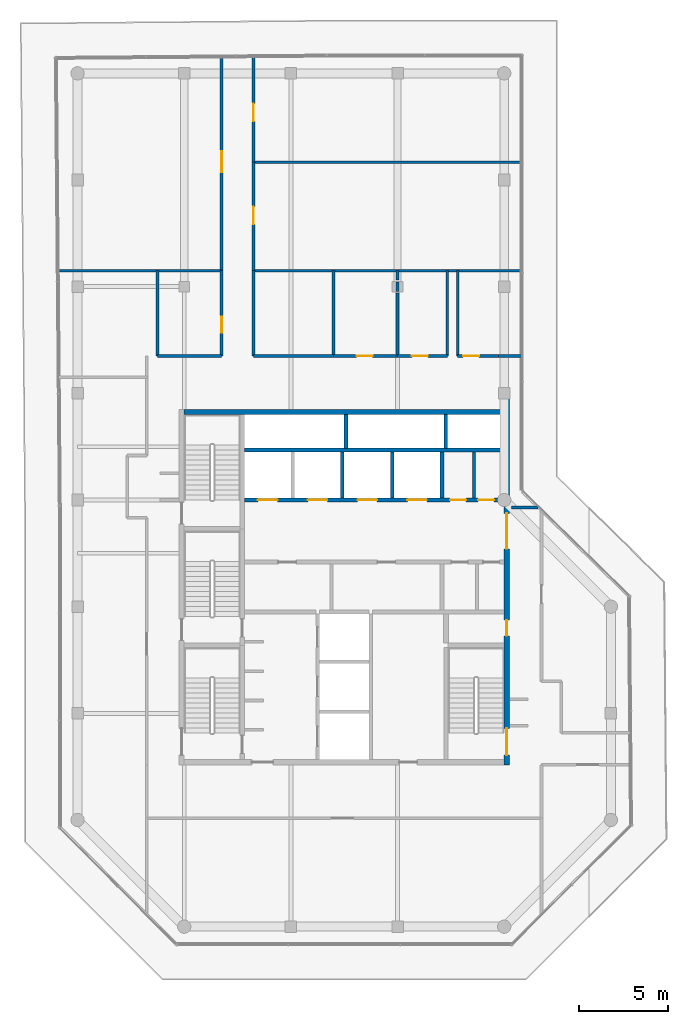
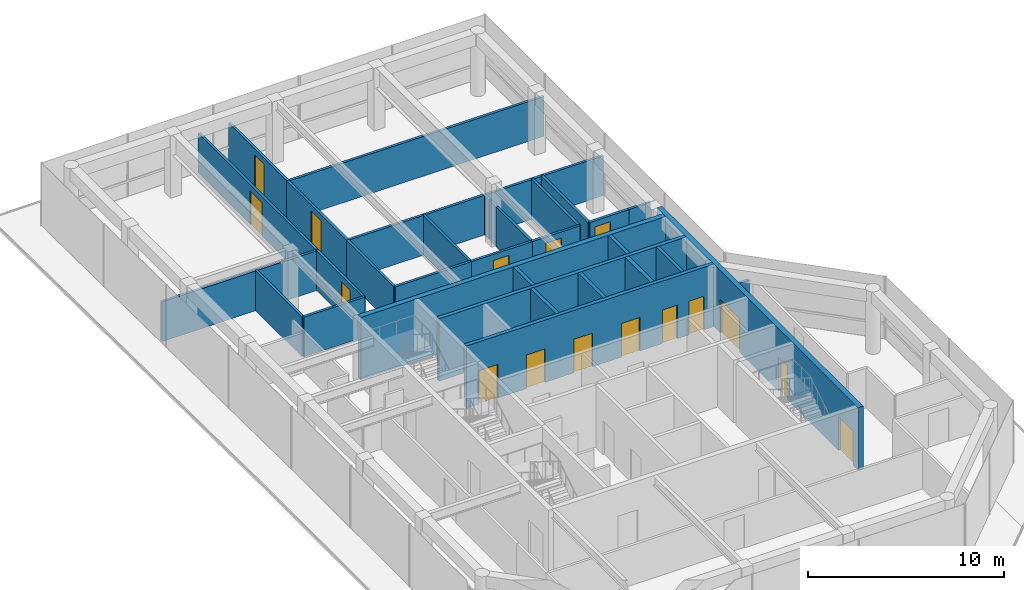
# One storey, part 18 of 21: 32 walls, 16 doors, 16 openings.
"""IFC4 building model written with IfcOpenShell, lengths in metres."""

from ifc_helpers import new_model, si_unit, direction, frame, frame_2d, origin, place, context, subcontext, project, spatial, rectangle, extrude, material, layer, layer_set, type_object, element, fill, save


model = new_model("IFC4")

# Units and contexts
model_context = context("Model", 3, precision=1e-05, world=origin(), true_north=direction((0.0, 1.0)))
body_context = subcontext(model_context, "Body", "Model", "MODEL_VIEW")
ifc_project = project(units=[si_unit("LENGTHUNIT", "METRE"), si_unit("AREAUNIT", "SQUARE_METRE"), si_unit("VOLUMEUNIT", "CUBIC_METRE"), si_unit("PLANEANGLEUNIT", "RADIAN"), si_unit("MASSUNIT", "GRAM", prefix="KILO")], contexts=[model_context])

# Site, building, storey
site_placement = place(None, origin())
site = spatial("IfcSite", under=ifc_project, at=site_placement, CompositionType="ELEMENT")
building_placement = place(site_placement, origin())
building = spatial("IfcBuilding", under=site, at=building_placement, Name="Welwitschia Terrace Campus", CompositionType="ELEMENT")
storey_placement = place(building_placement, frame((0.0, 0.0, 331.39990234375)))
storey = spatial("IfcBuildingStorey", under=building, at=storey_placement, Name="L74", CompositionType="ELEMENT", Elevation=331.39990234375)

# Wall
ifc_material_1 = material(Name="Concrete C32/40", Category="concrete")
ifc_layer_1 = layer(ifc_material_1, 0.175048828125)
ifc_layer_set_1 = layer_set([ifc_layer_1], Name="Concrete C32/40")
wall_type_1 = type_object("IfcWallType", Name="Core partition 175 Concrete C32/40", PredefinedType="PARTITIONING", material=ifc_layer_set_1)
wall_1_placement = place(storey_placement, frame((22.300048828125, 20.10009765625, 0.0), z_axis=(0.0, 0.0, 1.0), x_axis=(0.0, 1.0, 0.0)))
element("IfcWall", 1, at=wall_1_placement, inside=storey, type_object=wall_type_1, Name="Core partition", PredefinedType="PARTITIONING", context=body_context, shape_type="SweptSolid", body=[
    extrude(rectangle(XDim=2.599853515625, YDim=0.175048828125, at=frame_2d((1.2998046875, 0.0))), origin(), (0.0, 0.0, 1.0), 3.900146484375),
])

# Wall, openings, doors
ifc_material_2 = material(Name="Concrete C32/40", Category="concrete")
ifc_layer_2 = layer(ifc_material_2, 0.22509765625)
ifc_layer_set_2 = layer_set([ifc_layer_2], Name="Concrete C32/40")
wall_type_2 = type_object("IfcWallType", Name="Core partition 225 Concrete C32/40", PredefinedType="PARTITIONING", material=ifc_layer_set_2)
wall_2_placement = place(storey_placement, frame((24.0, 20.0, 0.0), z_axis=(0.0, 0.0, 1.0), x_axis=(-1.0, 0.0, 0.0)))
wall_2 = element("IfcWall", 2, at=wall_2_placement, inside=storey, type_object=wall_type_2, Name="Shaft wall", PredefinedType="PARTITIONING", context=body_context, shape_type="SweptSolid", body=[
    extrude(rectangle(XDim=14.60009765625, YDim=0.22509765625, at=frame_2d((7.300048828125, 0.0))), origin(), (0.0, 0.0, 1.0), 3.900146484375),
])
opening_1_placement = place(wall_2_placement, frame((12.75, 0.0, 0.0)))
opening_1 = element("IfcOpeningElement", 3, at=opening_1_placement, cuts=wall_2, Name="Opening LD", PredefinedType="OPENING", context=body_context, shape_type="SweptSolid", body=[
    extrude(rectangle(XDim=1.10009765625, YDim=2.10009765625, at=frame_2d((0.550048828125, 1.050048828125))), frame((0.0, 0.12255859375, 0.0), z_axis=(0.0, -1.0, 0.0), x_axis=(1.0, 0.0, 0.0)), (0.0, 0.0, 1.0), 0.2451171875),
])
opening_2_placement = place(wall_2_placement, frame((9.949951171875, 0.0, 0.0)))
opening_2 = element("IfcOpeningElement", 4, at=opening_2_placement, cuts=wall_2, Name="Opening LD", PredefinedType="OPENING", context=body_context, shape_type="SweptSolid", body=[
    extrude(rectangle(XDim=1.10009765625, YDim=2.10009765625, at=frame_2d((0.550048828125, 1.050048828125))), frame((0.0, 0.12255859375, 0.0), z_axis=(0.0, -1.0, 0.0), x_axis=(1.0, 0.0, 0.0)), (0.0, 0.0, 1.0), 0.2451171875),
])
opening_3_placement = place(wall_2_placement, frame((7.14990234375, 0.0, 0.0)))
opening_3 = element("IfcOpeningElement", 5, at=opening_3_placement, cuts=wall_2, Name="Opening LD", PredefinedType="OPENING", context=body_context, shape_type="SweptSolid", body=[
    extrude(rectangle(XDim=1.10009765625, YDim=2.10009765625, at=frame_2d((0.550048828125, 1.050048828125))), frame((0.0, 0.12255859375, 0.0), z_axis=(0.0, -1.0, 0.0), x_axis=(1.0, 0.0, 0.0)), (0.0, 0.0, 1.0), 0.2451171875),
])
opening_4_placement = place(wall_2_placement, frame((4.35009765625, 0.0, 0.0)))
opening_4 = element("IfcOpeningElement", 6, at=opening_4_placement, cuts=wall_2, Name="Opening LD", PredefinedType="OPENING", context=body_context, shape_type="SweptSolid", body=[
    extrude(rectangle(XDim=1.10009765625, YDim=2.10009765625, at=frame_2d((0.550048828125, 1.050048828125))), frame((0.0, 0.12255859375, 0.0), z_axis=(0.0, -1.0, 0.0), x_axis=(1.0, 0.0, 0.0)), (0.0, 0.0, 1.0), 0.2451171875),
])
opening_5_placement = place(wall_2_placement, frame((2.137451171875, 0.0, 0.0)))
opening_5 = element("IfcOpeningElement", 7, at=opening_5_placement, cuts=wall_2, Name="Opening DR09", PredefinedType="OPENING", context=body_context, shape_type="SweptSolid", body=[
    extrude(rectangle(XDim=0.89990234375, YDim=2.10009765625, at=frame_2d((0.449951171875, 1.050048828125))), frame((0.0, 0.12255859375, 0.0), z_axis=(0.0, -1.0, 0.0), x_axis=(1.0, 0.0, 0.0)), (0.0, 0.0, 1.0), 0.2451171875),
])
opening_6_placement = place(wall_2_placement, frame((0.56201171875, 0.0, 0.0)))
opening_6 = element("IfcOpeningElement", 8, at=opening_6_placement, cuts=wall_2, Name="Opening DR09", PredefinedType="OPENING", context=body_context, shape_type="SweptSolid", body=[
    extrude(rectangle(XDim=0.89990234375, YDim=2.10009765625, at=frame_2d((0.449951171875, 1.050048828125))), frame((0.0, 0.12255859375, 0.0), z_axis=(0.0, -1.0, 0.0), x_axis=(1.0, 0.0, 0.0)), (0.0, 0.0, 1.0), 0.2451171875),
])
ifc_material_3 = material(Name="Steel S275", Category="steel")
door_type_1 = type_object("IfcDoorType", Name="Core door DR09", OperationType="SINGLE_SWING_LEFT", PredefinedType="DOOR", material=ifc_material_3)
door_1_placement = place(opening_5_placement, origin())
door_1 = element("IfcDoor", 9, at=door_1_placement, inside=storey, type_object=door_type_1, Name="Door EH1-D", OperationType="SINGLE_SWING_LEFT", OverallHeight=2.10009765625, OverallWidth=0.89990234375, PredefinedType="DOOR", context=body_context, shape_type="SweptSolid", body=[
    extrude(rectangle(XDim=0.89990234375, YDim=2.10009765625, at=frame_2d((0.449951171875, 1.050048828125))), frame((0.0, 0.02490234375, 0.0), z_axis=(0.0, -1.0, 0.0), x_axis=(1.0, 0.0, 0.0)), (0.0, 0.0, 1.0), 0.050048828125),
])
fill(opening_5, door_1)
door_2_placement = place(opening_6_placement, origin())
door_2 = element("IfcDoor", 10, at=door_2_placement, inside=storey, type_object=door_type_1, Name="Door EH2-D", OperationType="SINGLE_SWING_LEFT", OverallHeight=2.10009765625, OverallWidth=0.89990234375, PredefinedType="DOOR", context=body_context, shape_type="SweptSolid", body=[
    extrude(rectangle(XDim=0.89990234375, YDim=2.10009765625, at=frame_2d((0.449951171875, 1.050048828125))), frame((0.0, 0.02490234375, 0.0), z_axis=(0.0, -1.0, 0.0), x_axis=(1.0, 0.0, 0.0)), (0.0, 0.0, 1.0), 0.050048828125),
])
fill(opening_6, door_2)
ifc_material_4 = material(Name="Stainless steel 304", Category="steel")
door_type_2 = type_object("IfcDoorType", Name="Lift landing door", OperationType="DOUBLE_DOOR_SLIDING", PredefinedType="DOOR", material=ifc_material_4)
door_3_placement = place(opening_1_placement, origin())
door_3 = element("IfcDoor", 11, at=door_3_placement, inside=storey, type_object=door_type_2, Name="Landing door HR1", OperationType="DOUBLE_DOOR_SLIDING", OverallHeight=2.10009765625, OverallWidth=1.10009765625, PredefinedType="DOOR", context=body_context, shape_type="SweptSolid", body=[
    extrude(rectangle(XDim=1.10009765625, YDim=2.10009765625, at=frame_2d((0.550048828125, 1.050048828125))), frame((0.0, 0.02490234375, 0.0), z_axis=(0.0, -1.0, 0.0), x_axis=(1.0, 0.0, 0.0)), (0.0, 0.0, 1.0), 0.050048828125),
])
fill(opening_1, door_3)
door_4_placement = place(opening_2_placement, origin())
door_4 = element("IfcDoor", 12, at=door_4_placement, inside=storey, type_object=door_type_2, Name="Landing door HR2", OperationType="DOUBLE_DOOR_SLIDING", OverallHeight=2.10009765625, OverallWidth=1.10009765625, PredefinedType="DOOR", context=body_context, shape_type="SweptSolid", body=[
    extrude(rectangle(XDim=1.10009765625, YDim=2.10009765625, at=frame_2d((0.550048828125, 1.050048828125))), frame((0.0, 0.02490234375, 0.0), z_axis=(0.0, -1.0, 0.0), x_axis=(1.0, 0.0, 0.0)), (0.0, 0.0, 1.0), 0.050048828125),
])
fill(opening_2, door_4)
door_5_placement = place(opening_3_placement, origin())
door_5 = element("IfcDoor", 13, at=door_5_placement, inside=storey, type_object=door_type_2, Name="Landing door HR3", OperationType="DOUBLE_DOOR_SLIDING", OverallHeight=2.10009765625, OverallWidth=1.10009765625, PredefinedType="DOOR", context=body_context, shape_type="SweptSolid", body=[
    extrude(rectangle(XDim=1.10009765625, YDim=2.10009765625, at=frame_2d((0.550048828125, 1.050048828125))), frame((0.0, 0.02490234375, 0.0), z_axis=(0.0, -1.0, 0.0), x_axis=(1.0, 0.0, 0.0)), (0.0, 0.0, 1.0), 0.050048828125),
])
fill(opening_3, door_5)
door_6_placement = place(opening_4_placement, origin())
door_6 = element("IfcDoor", 14, at=door_6_placement, inside=storey, type_object=door_type_2, Name="Landing door HR4", OperationType="DOUBLE_DOOR_SLIDING", OverallHeight=2.10009765625, OverallWidth=1.10009765625, PredefinedType="DOOR", context=body_context, shape_type="SweptSolid", body=[
    extrude(rectangle(XDim=1.10009765625, YDim=2.10009765625, at=frame_2d((0.550048828125, 1.050048828125))), frame((0.0, 0.02490234375, 0.0), z_axis=(0.0, -1.0, 0.0), x_axis=(1.0, 0.0, 0.0)), (0.0, 0.0, 1.0), 0.050048828125),
])
fill(opening_4, door_6)

# Walls
wall_3_placement = place(storey_placement, frame((9.39990234375, 22.800048828125, 0.0), z_axis=(0.0, 0.0, 1.0), x_axis=(1.0, 0.0, 0.0)))
element("IfcWall", 15, at=wall_3_placement, inside=storey, type_object=wall_type_2, Name="Shaft wall", PredefinedType="PARTITIONING", context=body_context, shape_type="SweptSolid", body=[
    extrude(rectangle(XDim=14.60009765625, YDim=0.22509765625, at=frame_2d((7.300048828125, 0.0))), origin(), (0.0, 0.0, 1.0), 3.900146484375),
])
wall_4_placement = place(storey_placement, frame((20.5, 20.10009765625, 0.0), z_axis=(0.0, 0.0, 1.0), x_axis=(0.0, 1.0, 0.0)))
element("IfcWall", 16, at=wall_4_placement, inside=storey, type_object=wall_type_2, Name="Shaft wall", PredefinedType="PARTITIONING", context=body_context, shape_type="SweptSolid", body=[
    extrude(rectangle(XDim=2.599853515625, YDim=0.22509765625, at=frame_2d((1.2998046875, 0.0))), origin(), (0.0, 0.0, 1.0), 3.900146484375),
])
ifc_material_5 = material(Name="Concrete C50/60", Category="concrete")
ifc_layer_3 = layer(ifc_material_5, 0.199951171875)
ifc_layer_set_3 = layer_set([ifc_layer_3], Name="Concrete C50/60")
wall_type_3 = type_object("IfcWallType", Name="Core wall 200 Concrete C50/60", PredefinedType="SHEAR", material=ifc_layer_set_3)
for number, where, z_axis, x_axis, name in (
    (17, (15.10009765625, 22.89990234375, 0.0), (0.0, 0.0, 1.0), (0.0, 1.0, 0.0), "Core wall"),
    (18, (20.699951171875, 22.89990234375, 0.0), (0.0, 0.0, 1.0), (0.0, 1.0, 0.0), "Core wall"),
):
    element("IfcWall", number, at=place(storey_placement, frame(where, z_axis=z_axis, x_axis=x_axis)), inside=storey, type_object=wall_type_3, Name=name, PredefinedType="SHEAR", context=body_context, shape_type="SweptSolid", body=[
        extrude(rectangle(XDim=1.900146484375, YDim=0.199951171875, at=frame_2d((0.9501953125, 0.0))), origin(), (0.0, 0.0, 1.0), 3.900146484375),
    ])

# Wall, openings, doors
ifc_material_6 = material(Name="Concrete C50/60", Category="concrete")
ifc_layer_4 = layer(ifc_material_6, 0.300048828125)
ifc_layer_set_4 = layer_set([ifc_layer_4], Name="Concrete C50/60")
wall_type_4 = type_object("IfcWallType", Name="Core wall 300 Concrete C50/60", PredefinedType="SHEAR", material=ifc_layer_set_4)
wall_5_placement = place(storey_placement, frame((24.14990234375, 25.705078125, 0.0), z_axis=(0.0, 0.0, 1.0), x_axis=(0.0, -1.0, 0.0)))
wall_5 = element("IfcWall", 19, at=wall_5_placement, inside=storey, type_object=wall_type_4, Name="Core outer wall", PredefinedType="SHEAR", context=body_context, shape_type="SweptSolid", body=[
    extrude(rectangle(XDim=20.60498046875, YDim=0.300048828125, at=frame_2d((10.302490234375, 0.0))), origin(), (0.0, 0.0, 1.0), 3.900146484375),
])
opening_7_placement = place(wall_5_placement, frame((18.554931640625, 0.0, 0.0)))
opening_7 = element("IfcOpeningElement", 20, at=opening_7_placement, cuts=wall_5, Name="Opening DS15", PredefinedType="OPENING", context=body_context, shape_type="SweptSolid", body=[
    extrude(rectangle(XDim=1.5, YDim=2.10009765625, at=frame_2d((0.75, 1.050048828125))), frame((0.0, 0.159912109375, 0.0), z_axis=(0.0, -1.0, 0.0), x_axis=(1.0, 0.0, 0.0)), (0.0, 0.0, 1.0), 0.320068359375),
])
opening_8_placement = place(wall_5_placement, frame((12.455078125, 0.0, 0.0)))
opening_8 = element("IfcOpeningElement", 21, at=opening_8_placement, cuts=wall_5, Name="Opening DR09", PredefinedType="OPENING", context=body_context, shape_type="SweptSolid", body=[
    extrude(rectangle(XDim=0.89990234375, YDim=2.10009765625, at=frame_2d((0.449951171875, 1.050048828125))), frame((0.0, 0.159912109375, 0.0), z_axis=(0.0, -1.0, 0.0), x_axis=(1.0, 0.0, 0.0)), (0.0, 0.0, 1.0), 0.320068359375),
])
opening_9_placement = place(wall_5_placement, frame((6.455078125, 0.0, 0.0)))
opening_9 = element("IfcOpeningElement", 22, at=opening_9_placement, cuts=wall_5, Name="Opening DL20", PredefinedType="OPENING", context=body_context, shape_type="SweptSolid", body=[
    extrude(rectangle(XDim=2.0, YDim=2.10009765625, at=frame_2d((1.0, 1.050048828125))), frame((0.0, 0.159912109375, 0.0), z_axis=(0.0, -1.0, 0.0), x_axis=(1.0, 0.0, 0.0)), (0.0, 0.0, 1.0), 0.320068359375),
])
ifc_material_7 = material(Name="Steel S275", Category="steel")
door_type_3 = type_object("IfcDoorType", Name="Core door DL20", OperationType="DOUBLE_DOOR_SINGLE_SWING", PredefinedType="DOOR", material=ifc_material_7)
door_7_placement = place(opening_9_placement, origin())
door_7 = element("IfcDoor", 23, at=door_7_placement, inside=storey, type_object=door_type_3, Name="Door LOBBY-out", OperationType="DOUBLE_DOOR_SINGLE_SWING", OverallHeight=2.10009765625, OverallWidth=2.0, PredefinedType="DOOR", context=body_context, shape_type="SweptSolid", body=[
    extrude(rectangle(XDim=2.0, YDim=2.10009765625, at=frame_2d((1.0, 1.050048828125))), frame((0.0, 0.02490234375, 0.0), z_axis=(0.0, -1.0, 0.0), x_axis=(1.0, 0.0, 0.0)), (0.0, 0.0, 1.0), 0.050048828125),
])
fill(opening_9, door_7)
door_8_placement = place(opening_8_placement, origin())
door_8 = element("IfcDoor", 24, at=door_8_placement, inside=storey, type_object=door_type_1, Name="Door F1B-out", OperationType="SINGLE_SWING_RIGHT", OverallHeight=2.10009765625, OverallWidth=0.89990234375, PredefinedType="DOOR", context=body_context, shape_type="SweptSolid", body=[
    extrude(rectangle(XDim=0.89990234375, YDim=2.10009765625, at=frame_2d((0.449951171875, 1.050048828125))), frame((0.0, 0.02490234375, 0.0), z_axis=(0.0, -1.0, 0.0), x_axis=(1.0, 0.0, 0.0)), (0.0, 0.0, 1.0), 0.050048828125),
])
fill(opening_8, door_8)
ifc_material_8 = material(Name="Steel S275", Category="steel")
door_type_4 = type_object("IfcDoorType", Name="Core door DS15", OperationType="DOUBLE_DOOR_SINGLE_SWING", PredefinedType="DOOR", material=ifc_material_8)
door_9_placement = place(opening_7_placement, origin())
door_9 = element("IfcDoor", 25, at=door_9_placement, inside=storey, type_object=door_type_4, Name="Door S2-out", OperationType="DOUBLE_DOOR_SINGLE_SWING", OverallHeight=2.10009765625, OverallWidth=1.5, PredefinedType="DOOR", context=body_context, shape_type="SweptSolid", body=[
    extrude(rectangle(XDim=1.5, YDim=2.10009765625, at=frame_2d((0.75, 1.050048828125))), frame((0.0, 0.02490234375, 0.0), z_axis=(0.0, -1.0, 0.0), x_axis=(1.0, 0.0, 0.0)), (0.0, 0.0, 1.0), 0.050048828125),
])
fill(opening_7, door_9)

# Walls
wall_6_placement = place(storey_placement, frame((6.0, 24.949951171875, 0.0), z_axis=(0.0, 0.0, 1.0), x_axis=(1.0, 0.0, 0.0)))
element("IfcWall", 26, at=wall_6_placement, inside=storey, type_object=wall_type_4, Name="Core outer wall", PredefinedType="SHEAR", context=body_context, shape_type="SweptSolid", body=[
    extrude(rectangle(XDim=18.0, YDim=0.300048828125, at=frame_2d((9.0, 0.0))), origin(), (0.0, 0.0, 1.0), 3.900146484375),
])
ifc_material_9 = material(Name="Gypsum board on steel studs", Category="steel")
ifc_layer_5 = layer(ifc_material_9, 0.14990234375)
ifc_layer_set_5 = layer_set([ifc_layer_5], Name="Gypsum board on steel studs")
wall_type_5 = type_object("IfcWallType", Name="Corridor partition 150 EI 30", PredefinedType="PARTITIONING", material=ifc_layer_set_5)
wall_7_placement = place(storey_placement, frame((-1.10009765625, 32.89990234375, 0.0), z_axis=(0.0, 0.0, 1.0), x_axis=(1.0, 0.0, 0.0)))
element("IfcWall", 27, at=wall_7_placement, inside=storey, type_object=wall_type_5, Name="Partition", PredefinedType="PARTITIONING", context=body_context, shape_type="SweptSolid", body=[
    extrude(rectangle(XDim=9.2001953125, YDim=0.14990234375, at=frame_2d((4.60009765625, 0.0))), origin(), (0.0, 0.0, 1.0), 2.47998046875),
])
wall_8_placement = place(storey_placement, frame((4.5, 28.10009765625, 0.0), z_axis=(0.0, 0.0, 1.0), x_axis=(0.0, 1.0, 0.0)))
element("IfcWall", 28, at=wall_8_placement, inside=storey, type_object=wall_type_5, Name="Partition", PredefinedType="PARTITIONING", context=body_context, shape_type="SweptSolid", body=[
    extrude(rectangle(XDim=4.7998046875, YDim=0.14990234375, at=frame_2d((2.39990234375, 0.0))), origin(), (0.0, 0.0, 1.0), 2.47998046875),
])
wall_9_placement = place(storey_placement, frame((4.5, 28.10009765625, 0.0), z_axis=(0.0, 0.0, 1.0), x_axis=(1.0, 0.0, 0.0)))
element("IfcWall", 29, at=wall_9_placement, inside=storey, type_object=wall_type_5, Name="Partition", PredefinedType="PARTITIONING", context=body_context, shape_type="SweptSolid", body=[
    extrude(rectangle(XDim=3.60009765625, YDim=0.14990234375, at=frame_2d((1.800048828125, 0.0))), origin(), (0.0, 0.0, 1.0), 2.47998046875),
])

# Wall, opening, door
wall_10_placement = place(storey_placement, frame((8.10009765625, 28.10009765625, 0.0), z_axis=(0.0, 0.0, 1.0), x_axis=(0.0, 1.0, 0.0)))
wall_10 = element("IfcWall", 30, at=wall_10_placement, inside=storey, type_object=wall_type_5, Name="Partition", PredefinedType="PARTITIONING", context=body_context, shape_type="SweptSolid", body=[
    extrude(rectangle(XDim=4.7998046875, YDim=0.14990234375, at=frame_2d((2.39990234375, 0.0))), origin(), (0.0, 0.0, 1.0), 2.47998046875),
])
opening_10_placement = place(wall_10_placement, frame((1.300048828125, 0.0, 0.0)))
opening_10 = element("IfcOpeningElement", 31, at=opening_10_placement, cuts=wall_10, Name="Opening DI09", PredefinedType="OPENING", context=body_context, shape_type="SweptSolid", body=[
    extrude(rectangle(XDim=0.89990234375, YDim=2.10009765625, at=frame_2d((0.449951171875, 1.050048828125))), frame((0.0, 0.0849609375, 0.0), z_axis=(0.0, -1.0, 0.0), x_axis=(1.0, 0.0, 0.0)), (0.0, 0.0, 1.0), 0.169921875),
])
ifc_material_10 = material(Name="Timber veneered door", Category="wood")
door_type_5 = type_object("IfcDoorType", Name="Interior door DI09", OperationType="NOTDEFINED", PredefinedType="DOOR", material=ifc_material_10)
door_10_placement = place(opening_10_placement, origin())
door_10 = element("IfcDoor", 32, at=door_10_placement, inside=storey, type_object=door_type_5, Name="Door L74 1280", OperationType="SINGLE_SWING_LEFT", OverallHeight=2.10009765625, OverallWidth=0.89990234375, PredefinedType="DOOR", context=body_context, shape_type="SweptSolid", body=[
    extrude(rectangle(XDim=0.89990234375, YDim=2.10009765625, at=frame_2d((0.449951171875, 1.050048828125))), frame((0.0, 0.02490234375, 0.0), z_axis=(0.0, -1.0, 0.0), x_axis=(1.0, 0.0, 0.0)), (0.0, 0.0, 1.0), 0.050048828125),
])
fill(opening_10, door_10)

wall_11_placement = place(storey_placement, frame((8.10009765625, 32.89990234375, 0.0), z_axis=(0.0, 0.0, 1.0), x_axis=(0.0, 1.0, 0.0)))
wall_11 = element("IfcWall", 33, at=wall_11_placement, inside=storey, type_object=wall_type_5, Name="Partition", PredefinedType="PARTITIONING", context=body_context, shape_type="SweptSolid", body=[
    extrude(rectangle(XDim=12.030029296875, YDim=0.14990234375, at=frame_2d((6.01513671875, 0.0))), origin(), (0.0, 0.0, 1.0), 2.47998046875),
])
opening_11_placement = place(wall_11_placement, frame((5.530029296875, 0.0, 0.0)))
opening_11 = element("IfcOpeningElement", 34, at=opening_11_placement, cuts=wall_11, Name="Opening DI12", PredefinedType="OPENING", context=body_context, shape_type="SweptSolid", body=[
    extrude(rectangle(XDim=1.199951171875, YDim=2.10009765625, at=frame_2d((0.60009765625, 1.050048828125))), frame((0.0, 0.0849609375, 0.0), z_axis=(0.0, -1.0, 0.0), x_axis=(1.0, 0.0, 0.0)), (0.0, 0.0, 1.0), 0.169921875),
])
ifc_material_11 = material(Name="Timber veneered door", Category="wood")
door_type_6 = type_object("IfcDoorType", Name="Interior door DI12", OperationType="NOTDEFINED", PredefinedType="DOOR", material=ifc_material_11)
door_11_placement = place(opening_11_placement, origin())
door_11 = element("IfcDoor", 35, at=door_11_placement, inside=storey, type_object=door_type_6, Name="Door L74 1281", OperationType="SINGLE_SWING_RIGHT", OverallHeight=2.10009765625, OverallWidth=1.199951171875, PredefinedType="DOOR", context=body_context, shape_type="SweptSolid", body=[
    extrude(rectangle(XDim=1.199951171875, YDim=2.10009765625, at=frame_2d((0.60009765625, 1.050048828125))), frame((0.0, 0.02490234375, 0.0), z_axis=(0.0, -1.0, 0.0), x_axis=(1.0, 0.0, 0.0)), (0.0, 0.0, 1.0), 0.050048828125),
])
fill(opening_11, door_11)

# Walls
wall_12_placement = place(storey_placement, frame((9.89990234375, 28.10009765625, 0.0), z_axis=(0.0, 0.0, 1.0), x_axis=(0.0, 1.0, 0.0)))
element("IfcWall", 36, at=wall_12_placement, inside=storey, type_object=wall_type_5, Name="Partition", PredefinedType="PARTITIONING", context=body_context, shape_type="SweptSolid", body=[
    extrude(rectangle(XDim=4.7998046875, YDim=0.14990234375, at=frame_2d((2.39990234375, 0.0))), origin(), (0.0, 0.0, 1.0), 2.47998046875),
])
wall_13_placement = place(storey_placement, frame((9.89990234375, 28.10009765625, 0.0), z_axis=(0.0, 0.0, 1.0), x_axis=(1.0, 0.0, 0.0)))
element("IfcWall", 37, at=wall_13_placement, inside=storey, type_object=wall_type_5, Name="Partition", PredefinedType="PARTITIONING", context=body_context, shape_type="SweptSolid", body=[
    extrude(rectangle(XDim=4.5, YDim=0.14990234375, at=frame_2d((2.25, 0.0))), origin(), (0.0, 0.0, 1.0), 2.47998046875),
])
wall_14_placement = place(storey_placement, frame((9.89990234375, 32.89990234375, 0.0), z_axis=(0.0, 0.0, 1.0), x_axis=(1.0, 0.0, 0.0)))
element("IfcWall", 38, at=wall_14_placement, inside=storey, type_object=wall_type_5, Name="Partition", PredefinedType="PARTITIONING", context=body_context, shape_type="SweptSolid", body=[
    extrude(rectangle(XDim=15.0751953125, YDim=0.14990234375, at=frame_2d((7.53759765625, 0.0))), origin(), (0.0, 0.0, 1.0), 2.47998046875),
])

# Wall, opening, door
wall_15_placement = place(storey_placement, frame((9.89990234375, 39.0, 0.0), z_axis=(0.0, 0.0, 1.0), x_axis=(0.0, -1.0, 0.0)))
wall_15 = element("IfcWall", 39, at=wall_15_placement, inside=storey, type_object=wall_type_5, Name="Partition", PredefinedType="PARTITIONING", context=body_context, shape_type="SweptSolid", body=[
    extrude(rectangle(XDim=6.10009765625, YDim=0.14990234375, at=frame_2d((3.050048828125, 0.0))), origin(), (0.0, 0.0, 1.0), 2.47998046875),
])
opening_12_placement = place(wall_15_placement, frame((2.5, 0.0, 0.0)))
opening_12 = element("IfcOpeningElement", 40, at=opening_12_placement, cuts=wall_15, Name="Opening DI10", PredefinedType="OPENING", context=body_context, shape_type="SweptSolid", body=[
    extrude(rectangle(XDim=1.0, YDim=2.10009765625, at=frame_2d((0.5, 1.050048828125))), frame((0.0, 0.0849609375, 0.0), z_axis=(0.0, -1.0, 0.0), x_axis=(1.0, 0.0, 0.0)), (0.0, 0.0, 1.0), 0.169921875),
])
ifc_material_12 = material(Name="Timber veneered door", Category="wood")
door_type_7 = type_object("IfcDoorType", Name="Interior door DI10", OperationType="NOTDEFINED", PredefinedType="DOOR", material=ifc_material_12)
door_12_placement = place(opening_12_placement, origin())
door_12 = element("IfcDoor", 41, at=door_12_placement, inside=storey, type_object=door_type_7, Name="Door L74 1282", OperationType="SINGLE_SWING_LEFT", OverallHeight=2.10009765625, OverallWidth=1.0, PredefinedType="DOOR", context=body_context, shape_type="SweptSolid", body=[
    extrude(rectangle(XDim=1.0, YDim=2.10009765625, at=frame_2d((0.5, 1.050048828125))), frame((0.0, 0.02490234375, 0.0), z_axis=(0.0, -1.0, 0.0), x_axis=(1.0, 0.0, 0.0)), (0.0, 0.0, 1.0), 0.050048828125),
])
fill(opening_12, door_12)

# Wall
wall_16_placement = place(storey_placement, frame((9.89990234375, 39.0, 0.0), z_axis=(0.0, 0.0, 1.0), x_axis=(1.0, 0.0, 0.0)))
element("IfcWall", 42, at=wall_16_placement, inside=storey, type_object=wall_type_5, Name="Partition", PredefinedType="PARTITIONING", context=body_context, shape_type="SweptSolid", body=[
    extrude(rectangle(XDim=15.0751953125, YDim=0.14990234375, at=frame_2d((7.53759765625, 0.0))), origin(), (0.0, 0.0, 1.0), 2.47998046875),
])

# Wall, opening, door
wall_17_placement = place(storey_placement, frame((9.89990234375, 44.93994140625, 0.0), z_axis=(0.0, 0.0, 1.0), x_axis=(0.0, -1.0, 0.0)))
wall_17 = element("IfcWall", 43, at=wall_17_placement, inside=storey, type_object=wall_type_5, Name="Partition", PredefinedType="PARTITIONING", context=body_context, shape_type="SweptSolid", body=[
    extrude(rectangle(XDim=5.93994140625, YDim=0.14990234375, at=frame_2d((2.969970703125, 0.0))), origin(), (0.0, 0.0, 1.0), 2.47998046875),
])
opening_13_placement = place(wall_17_placement, frame((2.639892578125, 0.0, 0.0)))
opening_13 = element("IfcOpeningElement", 44, at=opening_13_placement, cuts=wall_17, Name="Opening DI10", PredefinedType="OPENING", context=body_context, shape_type="SweptSolid", body=[
    extrude(rectangle(XDim=1.0, YDim=2.10009765625, at=frame_2d((0.5, 1.050048828125))), frame((0.0, 0.0849609375, 0.0), z_axis=(0.0, -1.0, 0.0), x_axis=(1.0, 0.0, 0.0)), (0.0, 0.0, 1.0), 0.169921875),
])
door_13_placement = place(opening_13_placement, origin())
door_13 = element("IfcDoor", 45, at=door_13_placement, inside=storey, type_object=door_type_7, Name="Door L74 1283", OperationType="SINGLE_SWING_RIGHT", OverallHeight=2.10009765625, OverallWidth=1.0, PredefinedType="DOOR", context=body_context, shape_type="SweptSolid", body=[
    extrude(rectangle(XDim=1.0, YDim=2.10009765625, at=frame_2d((0.5, 1.050048828125))), frame((0.0, 0.02490234375, 0.0), z_axis=(0.0, -1.0, 0.0), x_axis=(1.0, 0.0, 0.0)), (0.0, 0.0, 1.0), 0.050048828125),
])
fill(opening_13, door_13)

# Wall
wall_18_placement = place(storey_placement, frame((14.39990234375, 28.10009765625, 0.0), z_axis=(0.0, 0.0, 1.0), x_axis=(0.0, 1.0, 0.0)))
element("IfcWall", 46, at=wall_18_placement, inside=storey, type_object=wall_type_5, Name="Partition", PredefinedType="PARTITIONING", context=body_context, shape_type="SweptSolid", body=[
    extrude(rectangle(XDim=4.7998046875, YDim=0.14990234375, at=frame_2d((2.39990234375, 0.0))), origin(), (0.0, 0.0, 1.0), 2.47998046875),
])

# Wall, opening, door
wall_19_placement = place(storey_placement, frame((14.39990234375, 28.10009765625, 0.0), z_axis=(0.0, 0.0, 1.0), x_axis=(1.0, 0.0, 0.0)))
wall_19 = element("IfcWall", 47, at=wall_19_placement, inside=storey, type_object=wall_type_5, Name="Partition", PredefinedType="PARTITIONING", context=body_context, shape_type="SweptSolid", body=[
    extrude(rectangle(XDim=3.60009765625, YDim=0.14990234375, at=frame_2d((1.800048828125, 0.0))), origin(), (0.0, 0.0, 1.0), 2.47998046875),
])
opening_14_placement = place(wall_19_placement, frame((1.300048828125, 0.0, 0.0)))
opening_14 = element("IfcOpeningElement", 48, at=opening_14_placement, cuts=wall_19, Name="Opening DI09", PredefinedType="OPENING", context=body_context, shape_type="SweptSolid", body=[
    extrude(rectangle(XDim=0.89990234375, YDim=2.10009765625, at=frame_2d((0.449951171875, 1.050048828125))), frame((0.0, 0.0849609375, 0.0), z_axis=(0.0, -1.0, 0.0), x_axis=(1.0, 0.0, 0.0)), (0.0, 0.0, 1.0), 0.169921875),
])
door_14_placement = place(opening_14_placement, origin())
door_14 = element("IfcDoor", 49, at=door_14_placement, inside=storey, type_object=door_type_5, Name="Door L74 1284", OperationType="SINGLE_SWING_LEFT", OverallHeight=2.10009765625, OverallWidth=0.89990234375, PredefinedType="DOOR", context=body_context, shape_type="SweptSolid", body=[
    extrude(rectangle(XDim=0.89990234375, YDim=2.10009765625, at=frame_2d((0.449951171875, 1.050048828125))), frame((0.0, 0.02490234375, 0.0), z_axis=(0.0, -1.0, 0.0), x_axis=(1.0, 0.0, 0.0)), (0.0, 0.0, 1.0), 0.050048828125),
])
fill(opening_14, door_14)

# Wall
wall_20_placement = place(storey_placement, frame((18.0, 28.10009765625, 0.0), z_axis=(0.0, 0.0, 1.0), x_axis=(0.0, 1.0, 0.0)))
element("IfcWall", 50, at=wall_20_placement, inside=storey, type_object=wall_type_5, Name="Partition", PredefinedType="PARTITIONING", context=body_context, shape_type="SweptSolid", body=[
    extrude(rectangle(XDim=3.52978515625, YDim=0.14990234375, at=frame_2d((1.764892578125, 0.0))), origin(), (0.0, 0.0, 1.0), 2.47998046875),
])

# Wall, opening, door
wall_21_placement = place(storey_placement, frame((18.0, 28.10009765625, 0.0), z_axis=(0.0, 0.0, 1.0), x_axis=(1.0, 0.0, 0.0)))
wall_21 = element("IfcWall", 51, at=wall_21_placement, inside=storey, type_object=wall_type_5, Name="Partition", PredefinedType="PARTITIONING", context=body_context, shape_type="SweptSolid", body=[
    extrude(rectangle(XDim=2.800048828125, YDim=0.14990234375, at=frame_2d((1.39990234375, 0.0))), origin(), (0.0, 0.0, 1.0), 2.47998046875),
])
opening_15_placement = place(wall_21_placement, frame((0.800048828125, 0.0, 0.0)))
opening_15 = element("IfcOpeningElement", 52, at=opening_15_placement, cuts=wall_21, Name="Opening DI09", PredefinedType="OPENING", context=body_context, shape_type="SweptSolid", body=[
    extrude(rectangle(XDim=0.89990234375, YDim=2.10009765625, at=frame_2d((0.449951171875, 1.050048828125))), frame((0.0, 0.0849609375, 0.0), z_axis=(0.0, -1.0, 0.0), x_axis=(1.0, 0.0, 0.0)), (0.0, 0.0, 1.0), 0.169921875),
])
door_15_placement = place(opening_15_placement, origin())
door_15 = element("IfcDoor", 53, at=door_15_placement, inside=storey, type_object=door_type_5, Name="Door L74 1285", OperationType="SINGLE_SWING_RIGHT", OverallHeight=2.10009765625, OverallWidth=0.89990234375, PredefinedType="DOOR", context=body_context, shape_type="SweptSolid", body=[
    extrude(rectangle(XDim=0.89990234375, YDim=2.10009765625, at=frame_2d((0.449951171875, 1.050048828125))), frame((0.0, 0.02490234375, 0.0), z_axis=(0.0, -1.0, 0.0), x_axis=(1.0, 0.0, 0.0)), (0.0, 0.0, 1.0), 0.050048828125),
])
fill(opening_15, door_15)

# Walls
wall_22_placement = place(storey_placement, frame((18.0, 31.735595703125, 0.0), z_axis=(0.0, 0.0, 1.0), x_axis=(0.0, 1.0, 0.0)))
element("IfcWall", 54, at=wall_22_placement, inside=storey, type_object=wall_type_5, Name="Partition", PredefinedType="PARTITIONING", context=body_context, shape_type="SweptSolid", body=[
    extrude(rectangle(XDim=0.52880859375, YDim=0.14990234375, at=frame_2d((0.264404296875, 0.0))), origin(), (0.0, 0.0, 1.0), 2.47998046875),
])
wall_23_placement = place(storey_placement, frame((18.0, 32.3701171875, 0.0), z_axis=(0.0, 0.0, 1.0), x_axis=(0.0, 1.0, 0.0)))
element("IfcWall", 55, at=wall_23_placement, inside=storey, type_object=wall_type_5, Name="Partition", PredefinedType="PARTITIONING", context=body_context, shape_type="SweptSolid", body=[
    extrude(rectangle(XDim=0.52978515625, YDim=0.14990234375, at=frame_2d((0.264892578125, 0.0))), origin(), (0.0, 0.0, 1.0), 2.47998046875),
])
for number, where, z_axis, x_axis, name in (
    (56, (20.800048828125, 28.10009765625, 0.0), (0.0, 0.0, 1.0), (0.0, 1.0, 0.0), "Partition"),
    (57, (21.3798828125, 28.10009765625, 0.0), (0.0, 0.0, 1.0), (0.0, 1.0, 0.0), "Partition"),
):
    element("IfcWall", number, at=place(storey_placement, frame(where, z_axis=z_axis, x_axis=x_axis)), inside=storey, type_object=wall_type_5, Name=name, PredefinedType="PARTITIONING", context=body_context, shape_type="SweptSolid", body=[
        extrude(rectangle(XDim=4.7998046875, YDim=0.14990234375, at=frame_2d((2.39990234375, 0.0))), origin(), (0.0, 0.0, 1.0), 2.47998046875),
    ])

# Wall, opening, door
wall_24_placement = place(storey_placement, frame((21.3798828125, 28.10009765625, 0.0), z_axis=(0.0, 0.0, 1.0), x_axis=(1.0, 0.0, 0.0)))
wall_24 = element("IfcWall", 58, at=wall_24_placement, inside=storey, type_object=wall_type_5, Name="Partition", PredefinedType="PARTITIONING", context=body_context, shape_type="SweptSolid", body=[
    extrude(rectangle(XDim=2.31005859375, YDim=0.14990234375, at=frame_2d((1.155029296875, 0.0))), origin(), (0.0, 0.0, 1.0), 2.47998046875),
])
opening_16_placement = place(wall_24_placement, frame((0.31005859375, 0.0, 0.0)))
opening_16 = element("IfcOpeningElement", 59, at=opening_16_placement, cuts=wall_24, Name="Opening DI09", PredefinedType="OPENING", context=body_context, shape_type="SweptSolid", body=[
    extrude(rectangle(XDim=0.89990234375, YDim=2.10009765625, at=frame_2d((0.449951171875, 1.050048828125))), frame((0.0, 0.0849609375, 0.0), z_axis=(0.0, -1.0, 0.0), x_axis=(1.0, 0.0, 0.0)), (0.0, 0.0, 1.0), 0.169921875),
])
door_16_placement = place(opening_16_placement, origin())
door_16 = element("IfcDoor", 60, at=door_16_placement, inside=storey, type_object=door_type_5, Name="Door L74 1286", OperationType="SINGLE_SWING_LEFT", OverallHeight=2.10009765625, OverallWidth=0.89990234375, PredefinedType="DOOR", context=body_context, shape_type="SweptSolid", body=[
    extrude(rectangle(XDim=0.89990234375, YDim=2.10009765625, at=frame_2d((0.449951171875, 1.050048828125))), frame((0.0, 0.02490234375, 0.0), z_axis=(0.0, -1.0, 0.0), x_axis=(1.0, 0.0, 0.0)), (0.0, 0.0, 1.0), 0.050048828125),
])
fill(opening_16, door_16)

# Walls
wall_25_placement = place(storey_placement, frame((23.68994140625, 28.10009765625, 0.0), z_axis=(0.0, 0.0, 1.0), x_axis=(1.0, 0.0, 0.0)))
element("IfcWall", 61, at=wall_25_placement, inside=storey, type_object=wall_type_5, Name="Partition", PredefinedType="PARTITIONING", context=body_context, shape_type="SweptSolid", body=[
    extrude(rectangle(XDim=1.2900390625, YDim=0.14990234375, at=frame_2d((0.64501953125, 0.0))), origin(), (0.0, 0.0, 1.0), 2.47998046875),
])
wall_26_placement = place(storey_placement, frame((24.39990234375, 19.580078125, 0.0), z_axis=(0.0, 0.0, 1.0), x_axis=(1.0, 0.0, 0.0)))
element("IfcWall", 62, at=wall_26_placement, inside=storey, type_object=wall_type_5, Name="Partition", PredefinedType="PARTITIONING", context=body_context, shape_type="SweptSolid", body=[
    extrude(rectangle(XDim=1.49658203125, YDim=0.14990234375, at=frame_2d((0.748291015625, 0.0))), origin(), (0.0, 0.0, 1.0), 2.47998046875),
])
ifc_material_13 = material(Name="Concrete C32/40", Category="concrete")
ifc_layer_6 = layer(ifc_material_13, 0.199951171875)
ifc_layer_set_6 = layer_set([ifc_layer_6], Name="Concrete C32/40")
wall_type_6 = type_object("IfcWallType", Name="Shaft wall 200 Concrete C32/40", PredefinedType="SOLIDWALL", material=ifc_layer_set_6)
for number, where, z_axis, x_axis, name in (
    (63, (14.89990234375, 20.10009765625, 0.0), (0.0, 0.0, 1.0), (0.0, 1.0, 0.0), "Shaft wall"),
    (64, (17.699951171875, 20.10009765625, 0.0), (0.0, 0.0, 1.0), (0.0, 1.0, 0.0), "Shaft wall"),
):
    element("IfcWall", number, at=place(storey_placement, frame(where, z_axis=z_axis, x_axis=x_axis)), inside=storey, type_object=wall_type_6, Name=name, PredefinedType="SOLIDWALL", context=body_context, shape_type="SweptSolid", body=[
        extrude(rectangle(XDim=2.599853515625, YDim=0.199951171875, at=frame_2d((1.2998046875, 0.0))), origin(), (0.0, 0.0, 1.0), 3.900146484375),
    ])

save(model, "model.ifc")
